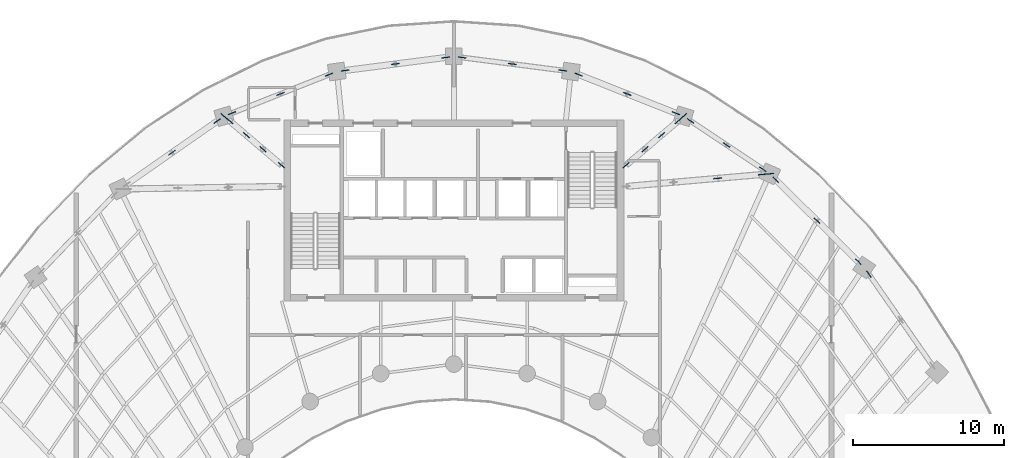
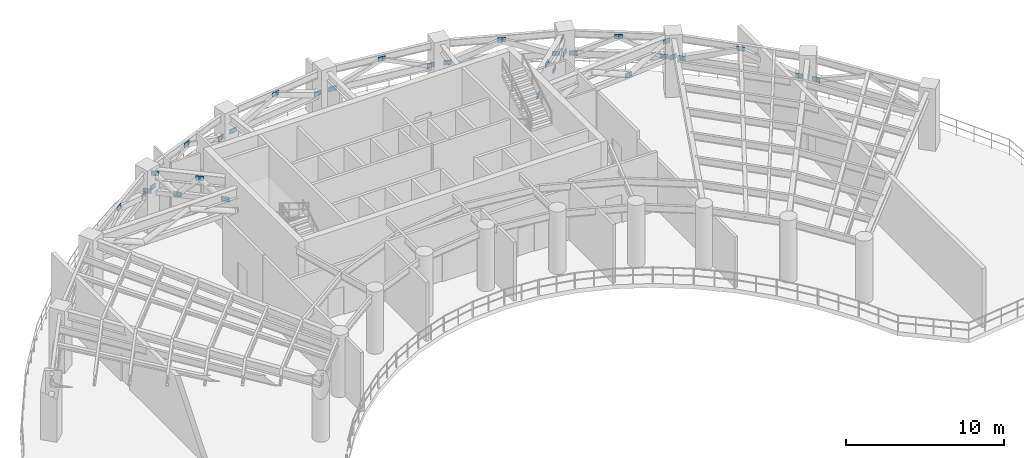
# One storey, part 6 of 19: 34 plates.
"""IFC4 building model written with IfcOpenShell, lengths in metres."""

from ifc_helpers import new_model, si_unit, direction, frame, origin, origin_2d, place, context, subcontext, project, spatial, rectangle, extrude, source, transform, mapped, material, layer, layer_set, type_object, element, save


model = new_model("IFC4")

# Units and contexts
model_context = context("Model", 3, precision=1e-05, world=origin(), true_north=direction((0.0, 1.0)))
body_context = subcontext(model_context, "Body", "Model", "MODEL_VIEW")
ifc_project = project(units=[si_unit("LENGTHUNIT", "METRE"), si_unit("AREAUNIT", "SQUARE_METRE"), si_unit("VOLUMEUNIT", "CUBIC_METRE"), si_unit("PLANEANGLEUNIT", "RADIAN"), si_unit("MASSUNIT", "GRAM", prefix="KILO")], contexts=[model_context])

# Site, building, storey
site_placement = place(None, origin())
site = spatial("IfcSite", under=ifc_project, at=site_placement, CompositionType="ELEMENT")
building_placement = place(site_placement, origin())
building = spatial("IfcBuilding", under=site, at=building_placement, Name="Breltana Convention Tower", CompositionType="ELEMENT")
storey_placement = place(building_placement, frame((0.0, 0.0, 194.39990234375)))
storey = spatial("IfcBuildingStorey", under=building, at=storey_placement, Name="L47", CompositionType="ELEMENT", Elevation=194.39990234375)

# Plates
ifc_material = material(Name="Steel S355", Category="steel")
ifc_layer = layer(ifc_material, 0.0400390625, Name="Steel S355")
ifc_layer_set = layer_set([ifc_layer], Name="Steel S355")
plate_type = type_object("IfcPlateType", Name="PL-GUSSET-40", PredefinedType="USERDEFINED", material=ifc_layer_set)
shared_shape = source(origin(), body_context, "Body", "SweptSolid", [
    extrude(rectangle(XDim=0.52001953125, YDim=0.0400390625, at=origin_2d()), origin(), (0.0, 0.0, 1.0), 0.360107421875),
])
for number, where, z_axis, x_axis, name in (
    (1, (36.60009765625, 69.199951171875, 2.56982421875), (0.0, 0.0, 1.0), (-0.761425177676, 0.648252804699, 0.0), "L47 Structural Brace Node Gusset Plate 006"),
    (2, (32.791015625, 72.4423828125, 2.56982421875), (0.0, 0.0, 1.0), (-0.761425177676, 0.648252804699, 0.0), "L47 Structural Brace Node Gusset Plate 007"),
    (3, (35.355712890625, 70.25927734375, 3.9736328125), (0.0, 0.0, 1.0), (-0.761425177676, 0.648252804699, 0.0), "L47 Structural Brace Node Gusset Plate 008"),
    (4, (34.263671875, 71.188720703125, 2.56982421875), (0.0, 0.0, 1.0), (-0.761425177676, 0.648252804699, 0.0), "L47 Structural Brace Node Gusset Plate 009"),
    (5, (33.171630859375, 72.118408203125, 3.9736328125), (0.0, 0.0, 1.0), (-0.761425177676, 0.648252804699, 0.0), "L47 Structural Brace Node Gusset Plate 010"),
    (6, (59.39990234375, 69.199951171875, 2.56982421875), (0.0, 0.0, 1.0), (0.761425177676, 0.648252804699, 0.0), "L47 Structural Brace Node Gusset Plate 011"),
    (7, (63.208984375, 72.4423828125, 2.56982421875), (0.0, 0.0, 1.0), (0.761425177676, 0.648252804699, 0.0), "L47 Structural Brace Node Gusset Plate 012"),
    (8, (60.644287109375, 70.25927734375, 3.9736328125), (0.0, 0.0, 1.0), (0.761425177676, 0.648252804699, 0.0), "L47 Structural Brace Node Gusset Plate 013"),
    (9, (61.736328125, 71.188720703125, 2.56982421875), (0.0, 0.0, 1.0), (0.761425177676, 0.648252804699, 0.0), "L47 Structural Brace Node Gusset Plate 014"),
    (10, (62.828369140625, 72.118408203125, 3.9736328125), (0.0, 0.0, 1.0), (0.761425177676, 0.648252804699, 0.0), "L47 Structural Brace Node Gusset Plate 015"),
    (11, (68.910400390625, 68.63330078125, 2.56982421875), (0.0, 0.0, 1.0), (0.996179471372, 0.087329610194, 0.0), "L47 Structural Brace Node Gusset Plate 017"),
    (12, (65.474609375, 68.332275390625, 2.56982421875), (0.0, 0.0, 1.0), (0.996179471372, 0.087329610194, 0.0), "L47 Structural Brace Node Gusset Plate 019"),
    (13, (68.412353515625, 68.589599609375, 3.9736328125), (0.0, 0.0, 1.0), (0.996179471372, 0.087329610194, 0.0), "L47 Structural Brace Node Gusset Plate 020"),
    (14, (29.33935546875, 70.034912109375, 3.9736328125), (0.0, 0.0, 1.0), (0.820151875874, 0.572145873446, 0.0), "L47 Structural Brace Node Gusset Plate 028"),
    (15, (32.33984375, 72.127685546875, 2.56982421875), (0.0, 0.0, 1.0), (0.820151875874, 0.572145873446, 0.0), "L47 Structural Brace Node Gusset Plate 029"),
    (16, (33.30224609375, 72.6455078125, 2.56982421875), (0.0, 0.0, 1.0), (0.929454882621, 0.36893579546, 0.0), "L47 Structural Brace Node Gusset Plate 030"),
    (17, (36.522216796875, 73.923583984375, 3.9736328125), (0.0, 0.0, 1.0), (0.929454882621, 0.36893579546, 0.0), "L47 Structural Brace Node Gusset Plate 031"),
    (18, (39.741943359375, 75.201416015625, 2.56982421875), (0.0, 0.0, 1.0), (0.929454882621, 0.36893579546, 0.0), "L47 Structural Brace Node Gusset Plate 032"),
    (19, (40.798583984375, 75.474853515625, 2.56982421875), (0.0, 0.0, 1.0), (0.99178318013, 0.127930151302, 0.0), "L47 Structural Brace Node Gusset Plate 033"),
    (20, (44.126708984375, 75.904296875, 3.9736328125), (0.0, 0.0, 1.0), (0.99178318013, 0.127930151302, 0.0), "L47 Structural Brace Node Gusset Plate 034"),
    (21, (47.45458984375, 76.33349609375, 2.56982421875), (0.0, 0.0, 1.0), (0.99178318013, 0.127930151302, 0.0), "L47 Structural Brace Node Gusset Plate 035"),
    (22, (48.54541015625, 76.33349609375, 2.56982421875), (0.0, 0.0, 1.0), (0.99178318013, -0.127930151302, 0.0), "L47 Structural Brace Node Gusset Plate 036"),
    (23, (51.873291015625, 75.904296875, 3.9736328125), (0.0, 0.0, 1.0), (0.99178318013, -0.127930151302, 0.0), "L47 Structural Brace Node Gusset Plate 037"),
    (24, (55.201416015625, 75.474853515625, 2.56982421875), (0.0, 0.0, 1.0), (0.99178318013, -0.127930151302, 0.0), "L47 Structural Brace Node Gusset Plate 038"),
    (25, (56.258056640625, 75.201416015625, 2.56982421875), (0.0, 0.0, 1.0), (0.929454882621, -0.36893579546, 0.0), "L47 Structural Brace Node Gusset Plate 039"),
    (26, (59.477783203125, 73.923583984375, 3.9736328125), (0.0, 0.0, 1.0), (0.929454882621, -0.36893579546, 0.0), "L47 Structural Brace Node Gusset Plate 040"),
    (27, (62.69775390625, 72.6455078125, 2.56982421875), (0.0, 0.0, 1.0), (0.929454882621, -0.36893579546, 0.0), "L47 Structural Brace Node Gusset Plate 041"),
    (28, (63.666259765625, 72.136962890625, 2.56982421875), (0.0, 0.0, 1.0), (0.831469612303, -0.55557023302, 0.0), "L47 Structural Brace Node Gusset Plate 042"),
    (29, (66.059814453125, 70.537841796875, 3.9736328125), (0.0, 0.0, 1.0), (0.831469612303, -0.55557023302, 0.0), "L47 Structural Brace Node Gusset Plate 043"),
    (30, (68.453125, 68.938720703125, 2.56982421875), (0.0, 0.0, 1.0), (0.831469612303, -0.55557023302, 0.0), "L47 Structural Brace Node Gusset Plate 044"),
    (31, (69.301025390625, 68.24609375, 2.56982421875), (0.0, 0.0, 1.0), (0.710062491058, -0.704138664464, 0.0), "L47 Structural Brace Node Gusset Plate 045"),
    (32, (72.03857421875, 65.53173828125, 3.9736328125), (0.0, 0.0, 1.0), (0.710062491058, -0.704138664464, 0.0), "L47 Structural Brace Node Gusset Plate 046"),
    (33, (74.776123046875, 62.8173828125, 2.56982421875), (0.0, 0.0, 1.0), (0.710062491058, -0.704138664464, 0.0), "L47 Structural Brace Node Gusset Plate 047"),
    (34, (75.48095703125, 61.978759765625, 2.56982421875), (0.0, 0.0, 1.0), (0.571143442153, -0.820850271661, 0.0), "L47 Structural Brace Node Gusset Plate 048"),
):
    element("IfcPlate", number, at=place(storey_placement, frame(where, z_axis=z_axis, x_axis=x_axis)), inside=storey, type_object=plate_type, Name=name, ObjectType="GUSSET_PLATE", PredefinedType="USERDEFINED", context=body_context, shape_type="MappedRepresentation", body=[
        mapped(shared_shape, transform((0.0, 0.0, 0.0), scale=1.0)),
    ])

save(model, "model.ifc")
